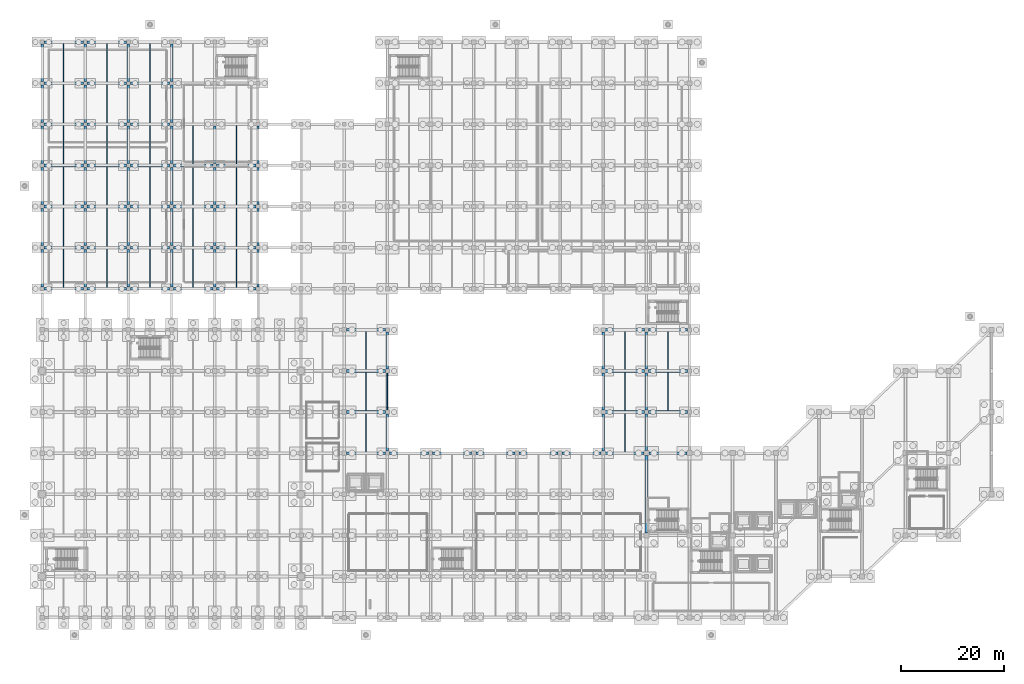
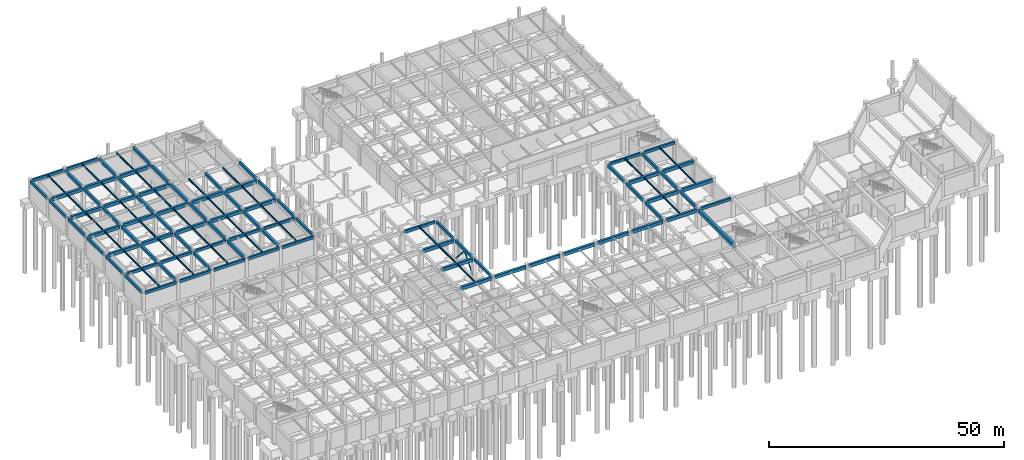
# One storey, part 32 of 56: 121 beams, 2 members.
"""IFC4 building model written with IfcOpenShell, lengths in metres."""

from ifc_helpers import new_model, si_unit, direction, frame, origin, origin_2d, place, context, subcontext, project, spatial, rectangle, hollow_rectangle, i_section, extrude, material, material_profile, profile_set, type_object, element, save


model = new_model("IFC4")

# Units and contexts
model_context = context("Model", 3, precision=1e-05, world=origin(), true_north=direction((0.0, 1.0)))
body_context = subcontext(model_context, "Body", "Model", "MODEL_VIEW")
ifc_project = project(units=[si_unit("LENGTHUNIT", "METRE"), si_unit("AREAUNIT", "SQUARE_METRE"), si_unit("VOLUMEUNIT", "CUBIC_METRE"), si_unit("PLANEANGLEUNIT", "RADIAN"), si_unit("MASSUNIT", "GRAM", prefix="KILO")], contexts=[model_context])

# Site, building, storey
site_placement = place(None, origin())
site = spatial("IfcSite", under=ifc_project, at=site_placement, CompositionType="ELEMENT")
building_placement = place(site_placement, origin())
building = spatial("IfcBuilding", under=site, at=building_placement, Name="Naruveol Harbour Congress Hotel", CompositionType="ELEMENT")
storey_placement = place(building_placement, frame((0.0, 0.0, -5.39990234375)))
storey = spatial("IfcBuildingStorey", under=building, at=storey_placement, Name="B01", CompositionType="ELEMENT", Elevation=-5.39990234375)

# Beams
ifc_material_1 = material(Name="Concrete C40/50", Category="concrete")
ifc_material_profile_1 = material_profile(ifc_material_1, rectangle(XDim=0.5, YDim=0.75, at=origin_2d()), Name="RCB-500x750")
ifc_profile_set_1 = profile_set([ifc_material_profile_1], Name="Concrete C40/50")
beam_type_1 = type_object("IfcBeamType", Name="RC FLOOR GIRDER 500X750", PredefinedType="BEAM", material=ifc_profile_set_1)
for number, where, z_axis, x_axis, name in (
    (1, (8.39990234375, 64.37109375, 4.6748046875), (0.0, 1.0, 0.0), (-1.0, 0.0, 0.0), "Transverse girder L00 CB3"),
    (2, (8.39990234375, 72.37109375, 4.6748046875), (0.0, 1.0, 0.0), (-1.0, 0.0, 0.0), "Transverse girder L00 CB3"),
    (3, (8.39990234375, 80.37109375, 4.6748046875), (0.0, 1.0, 0.0), (-1.0, 0.0, 0.0), "Transverse girder L00 CB3"),
    (4, (8.39990234375, 88.37109375, 4.6748046875), (0.0, 1.0, 0.0), (-1.0, 0.0, 0.0), "Transverse girder L00 CB3"),
    (5, (8.39990234375, 96.37109375, 4.6748046875), (0.0, 1.0, 0.0), (-1.0, 0.0, 0.0), "Transverse girder L00 CB3"),
    (6, (8.39990234375, 104.37109375, 4.625), (0.0, 1.0, 0.0), (-1.0, 0.0, 0.0), "Transverse girder L00 CB3"),
    (7, (16.800048828125, 64.37109375, 4.6748046875), (0.0, 1.0, 0.0), (-1.0, 0.0, 0.0), "Transverse girder L00 CB3"),
    (8, (16.800048828125, 72.37109375, 4.6748046875), (0.0, 1.0, 0.0), (-1.0, 0.0, 0.0), "Transverse girder L00 CB3"),
    (9, (16.800048828125, 80.37109375, 4.6748046875), (0.0, 1.0, 0.0), (-1.0, 0.0, 0.0), "Transverse girder L00 CB3"),
    (10, (16.800048828125, 88.37109375, 4.6748046875), (0.0, 1.0, 0.0), (-1.0, 0.0, 0.0), "Transverse girder L00 CB3"),
    (11, (16.800048828125, 96.37109375, 4.6748046875), (0.0, 1.0, 0.0), (-1.0, 0.0, 0.0), "Transverse girder L00 CB3"),
    (12, (16.800048828125, 104.37109375, 4.625), (0.0, 1.0, 0.0), (-1.0, 0.0, 0.0), "Transverse girder L00 CB3"),
    (13, (25.199951171875, 64.37109375, 4.6748046875), (0.0, 1.0, 0.0), (-1.0, 0.0, 0.0), "Transverse girder L00 CB3"),
    (14, (25.199951171875, 72.37109375, 4.6748046875), (0.0, 1.0, 0.0), (-1.0, 0.0, 0.0), "Transverse girder L00 CB3"),
    (15, (25.199951171875, 80.37109375, 4.6748046875), (0.0, 1.0, 0.0), (-1.0, 0.0, 0.0), "Transverse girder L00 CB3"),
    (16, (25.199951171875, 88.37109375, 4.6748046875), (0.0, 1.0, 0.0), (-1.0, 0.0, 0.0), "Transverse girder L00 CB3"),
    (17, (25.199951171875, 96.37109375, 4.6748046875), (0.0, 1.0, 0.0), (-1.0, 0.0, 0.0), "Transverse girder L00 CB3"),
    (18, (25.199951171875, 104.37109375, 4.625), (0.0, 1.0, 0.0), (-1.0, 0.0, 0.0), "Transverse girder L00 CB3"),
    (19, (33.60009765625, 64.37109375, 4.6748046875), (0.0, 1.0, 0.0), (-1.0, 0.0, 0.0), "Transverse girder L00 CB3"),
    (20, (33.60009765625, 72.37109375, 4.6748046875), (0.0, 1.0, 0.0), (-1.0, 0.0, 0.0), "Transverse girder L00 CB3"),
    (21, (33.60009765625, 80.37109375, 4.6748046875), (0.0, 1.0, 0.0), (-1.0, 0.0, 0.0), "Transverse girder L00 CB3"),
    (22, (33.60009765625, 88.37109375, 4.6748046875), (0.0, 1.0, 0.0), (-1.0, 0.0, 0.0), "Transverse girder L00 CB3"),
):
    element("IfcBeam", number, at=place(storey_placement, frame(where, z_axis=z_axis, x_axis=x_axis)), inside=storey, type_object=beam_type_1, Name=name, PredefinedType="BEAM", context=body_context, shape_type="SweptSolid", body=[
        extrude(rectangle(XDim=0.5, YDim=0.75, at=origin_2d()), origin(), (0.0, 0.0, 1.0), 7.2578125),
    ])
for number, where, z_axis, x_axis, name in (
    (23, (109.199951171875, 32.39599609375, 4.625), (0.0, 1.0, 0.0), (-1.0, 0.0, 0.0), "Transverse girder L00 CB3"),
    (24, (109.199951171875, 40.39599609375, 4.625), (0.0, 1.0, 0.0), (-1.0, 0.0, 0.0), "Transverse girder L00 CB3"),
    (25, (109.199951171875, 48.39599609375, 4.625), (0.0, 1.0, 0.0), (-1.0, 0.0, 0.0), "Transverse girder L00 CB3"),
):
    element("IfcBeam", number, at=place(storey_placement, frame(where, z_axis=z_axis, x_axis=x_axis)), inside=storey, type_object=beam_type_1, Name=name, PredefinedType="BEAM", context=body_context, shape_type="SweptSolid", body=[
        extrude(rectangle(XDim=0.5, YDim=0.75, at=origin_2d()), origin(), (0.0, 0.0, 1.0), 7.2080078125),
    ])
beam_1_placement = place(storey_placement, frame((117.60009765625, 32.49609375, 4.6748046875), z_axis=(0.0, 1.0, 0.0), x_axis=(-1.0, 0.0, 0.0)))
element("IfcBeam", 26, at=beam_1_placement, inside=storey, type_object=beam_type_1, Name="Transverse girder L00 CB3", PredefinedType="BEAM", context=body_context, shape_type="SweptSolid", body=[
    extrude(rectangle(XDim=0.5, YDim=0.75, at=origin_2d()), origin(), (0.0, 0.0, 1.0), 7.10791015625),
])
for number, where, z_axis, x_axis, name in (
    (27, (117.60009765625, 40.39599609375, 4.6748046875), (0.0, 1.0, 0.0), (-1.0, 0.0, 0.0), "Transverse girder L00 CB3"),
    (28, (117.60009765625, 48.39599609375, 4.6748046875), (0.0, 1.0, 0.0), (-1.0, 0.0, 0.0), "Transverse girder L00 CB3"),
):
    element("IfcBeam", number, at=place(storey_placement, frame(where, z_axis=z_axis, x_axis=x_axis)), inside=storey, type_object=beam_type_1, Name=name, PredefinedType="BEAM", context=body_context, shape_type="SweptSolid", body=[
        extrude(rectangle(XDim=0.5, YDim=0.75, at=origin_2d()), origin(), (0.0, 0.0, 1.0), 7.2080078125),
    ])
ifc_material_2 = material(Name="Concrete C40/50", Category="concrete")
ifc_material_profile_2 = material_profile(ifc_material_2, rectangle(XDim=0.60009765625, YDim=0.949951171875, at=origin_2d()), Name="RCB-600x950")
ifc_profile_set_2 = profile_set([ifc_material_profile_2], Name="Concrete C40/50")
beam_type_2 = type_object("IfcBeamType", Name="RC LONG SPAN GIRDER 600X950", PredefinedType="BEAM", material=ifc_profile_set_2)
beam_2_placement = place(storey_placement, frame((117.60009765625, 16.49609375, 4.574951171875), z_axis=(0.0, 1.0, 0.0), x_axis=(-1.0, 0.0, 0.0)))
element("IfcBeam", 29, at=beam_2_placement, inside=storey, type_object=beam_type_2, Name="Hotel pilotis girder L00 CB1", PredefinedType="BEAM", context=body_context, shape_type="SweptSolid", body=[
    extrude(rectangle(XDim=0.60009765625, YDim=0.949951171875, at=origin_2d()), origin(), (0.0, 0.0, 1.0), 15.0078125),
])
ifc_material_3 = material(Name="Concrete C40/50", Category="concrete")
ifc_material_profile_3 = material_profile(ifc_material_3, rectangle(XDim=0.550048828125, YDim=0.85009765625, at=origin_2d()), Name="RCB-550x850")
ifc_profile_set_3 = profile_set([ifc_material_profile_3], Name="Concrete C40/50")
beam_type_3 = type_object("IfcBeamType", Name="RC PRIMARY GIRDER 550X850", PredefinedType="BEAM", material=ifc_profile_set_3)
beam_3_placement = place(storey_placement, frame((59.24609375, 32.0, 4.574951171875), z_axis=(1.0, 0.0, 0.0), x_axis=(0.0, 1.0, 0.0)))
element("IfcBeam", 30, at=beam_3_placement, inside=storey, type_object=beam_type_3, Name="Floor girder L00 CB2", PredefinedType="BEAM", context=body_context, shape_type="SweptSolid", body=[
    extrude(rectangle(XDim=0.550048828125, YDim=0.85009765625, at=origin_2d()), origin(), (0.0, 0.0, 1.0), 7.557861328125),
])
beam_4_placement = place(storey_placement, frame((67.595947265625, 32.0, 4.574951171875), z_axis=(1.0, 0.0, 0.0), x_axis=(0.0, 1.0, 0.0)))
element("IfcBeam", 31, at=beam_4_placement, inside=storey, type_object=beam_type_3, Name="Floor girder L00 CB2", PredefinedType="BEAM", context=body_context, shape_type="SweptSolid", body=[
    extrude(rectangle(XDim=0.550048828125, YDim=0.85009765625, at=origin_2d()), origin(), (0.0, 0.0, 1.0), 7.608154296875),
])
for number, where, z_axis, x_axis, name in (
    (32, (75.99609375, 32.0, 4.574951171875), (1.0, 0.0, 0.0), (0.0, 1.0, 0.0), "Floor girder L00 CB2"),
    (33, (84.39599609375, 32.0, 4.574951171875), (1.0, 0.0, 0.0), (0.0, 1.0, 0.0), "Floor girder L00 CB2"),
):
    element("IfcBeam", number, at=place(storey_placement, frame(where, z_axis=z_axis, x_axis=x_axis)), inside=storey, type_object=beam_type_3, Name=name, PredefinedType="BEAM", context=body_context, shape_type="SweptSolid", body=[
        extrude(rectangle(XDim=0.550048828125, YDim=0.85009765625, at=origin_2d()), origin(), (0.0, 0.0, 1.0), 7.60791015625),
    ])
beam_5_placement = place(storey_placement, frame((92.7958984375, 32.0, 4.574951171875), z_axis=(1.0, 0.0, 0.0), x_axis=(0.0, 1.0, 0.0)))
element("IfcBeam", 34, at=beam_5_placement, inside=storey, type_object=beam_type_3, Name="Floor girder L00 CB2", PredefinedType="BEAM", context=body_context, shape_type="SweptSolid", body=[
    extrude(rectangle(XDim=0.550048828125, YDim=0.85009765625, at=origin_2d()), origin(), (0.0, 0.0, 1.0), 7.608154296875),
])
beam_6_placement = place(storey_placement, frame((101.196044921875, 32.0, 4.574951171875), z_axis=(1.0, 0.0, 0.0), x_axis=(0.0, 1.0, 0.0)))
element("IfcBeam", 35, at=beam_6_placement, inside=storey, type_object=beam_type_3, Name="Floor girder L00 CB2", PredefinedType="BEAM", context=body_context, shape_type="SweptSolid", body=[
    extrude(rectangle(XDim=0.550048828125, YDim=0.85009765625, at=origin_2d()), origin(), (0.0, 0.0, 1.0), 7.60791015625),
])
beam_7_placement = place(storey_placement, frame((109.595947265625, 32.0, 4.574951171875), z_axis=(1.0, 0.0, 0.0), x_axis=(0.0, 1.0, 0.0)))
element("IfcBeam", 36, at=beam_7_placement, inside=storey, type_object=beam_type_3, Name="Floor girder L00 CB2", PredefinedType="BEAM", context=body_context, shape_type="SweptSolid", body=[
    extrude(rectangle(XDim=0.550048828125, YDim=0.85009765625, at=origin_2d()), origin(), (0.0, 0.0, 1.0), 7.508056640625),
])
beam_8_placement = place(storey_placement, frame((59.24609375, 40.0, 4.574951171875), z_axis=(1.0, 0.0, 0.0), x_axis=(0.0, 1.0, 0.0)))
element("IfcBeam", 37, at=beam_8_placement, inside=storey, type_object=beam_type_3, Name="Floor girder L00 CB2", PredefinedType="BEAM", context=body_context, shape_type="SweptSolid", body=[
    extrude(rectangle(XDim=0.550048828125, YDim=0.85009765625, at=origin_2d()), origin(), (0.0, 0.0, 1.0), 7.557861328125),
])
beam_9_placement = place(storey_placement, frame((109.595947265625, 40.0, 4.574951171875), z_axis=(1.0, 0.0, 0.0), x_axis=(0.0, 1.0, 0.0)))
element("IfcBeam", 38, at=beam_9_placement, inside=storey, type_object=beam_type_3, Name="Floor girder L00 CB2", PredefinedType="BEAM", context=body_context, shape_type="SweptSolid", body=[
    extrude(rectangle(XDim=0.550048828125, YDim=0.85009765625, at=origin_2d()), origin(), (0.0, 0.0, 1.0), 7.608154296875),
])
beam_10_placement = place(storey_placement, frame((117.99609375, 40.0, 4.574951171875), z_axis=(1.0, 0.0, 0.0), x_axis=(0.0, 1.0, 0.0)))
element("IfcBeam", 39, at=beam_10_placement, inside=storey, type_object=beam_type_3, Name="Floor girder L00 CB2", PredefinedType="BEAM", context=body_context, shape_type="SweptSolid", body=[
    extrude(rectangle(XDim=0.550048828125, YDim=0.85009765625, at=origin_2d()), origin(), (0.0, 0.0, 1.0), 7.60791015625),
])
beam_11_placement = place(storey_placement, frame((59.24609375, 48.0, 4.574951171875), z_axis=(1.0, 0.0, 0.0), x_axis=(0.0, 1.0, 0.0)))
element("IfcBeam", 40, at=beam_11_placement, inside=storey, type_object=beam_type_3, Name="Floor girder L00 CB2", PredefinedType="BEAM", context=body_context, shape_type="SweptSolid", body=[
    extrude(rectangle(XDim=0.550048828125, YDim=0.85009765625, at=origin_2d()), origin(), (0.0, 0.0, 1.0), 7.557861328125),
])
beam_12_placement = place(storey_placement, frame((109.595947265625, 48.0, 4.574951171875), z_axis=(1.0, 0.0, 0.0), x_axis=(0.0, 1.0, 0.0)))
element("IfcBeam", 41, at=beam_12_placement, inside=storey, type_object=beam_type_3, Name="Floor girder L00 CB2", PredefinedType="BEAM", context=body_context, shape_type="SweptSolid", body=[
    extrude(rectangle(XDim=0.550048828125, YDim=0.85009765625, at=origin_2d()), origin(), (0.0, 0.0, 1.0), 7.608154296875),
])
beam_13_placement = place(storey_placement, frame((117.99609375, 48.0, 4.574951171875), z_axis=(1.0, 0.0, 0.0), x_axis=(0.0, 1.0, 0.0)))
element("IfcBeam", 42, at=beam_13_placement, inside=storey, type_object=beam_type_3, Name="Floor girder L00 CB2", PredefinedType="BEAM", context=body_context, shape_type="SweptSolid", body=[
    extrude(rectangle(XDim=0.550048828125, YDim=0.85009765625, at=origin_2d()), origin(), (0.0, 0.0, 1.0), 7.60791015625),
])
for number, where, z_axis, x_axis, name in (
    (43, (0.37109375, 80.0, 4.574951171875), (1.0, 0.0, 0.0), (0.0, 1.0, 0.0), "Floor girder L00 CB2"),
    (44, (8.77099609375, 80.0, 4.625), (1.0, 0.0, 0.0), (0.0, 1.0, 0.0), "Floor girder L00 CB2"),
):
    element("IfcBeam", number, at=place(storey_placement, frame(where, z_axis=z_axis, x_axis=x_axis)), inside=storey, type_object=beam_type_3, Name=name, PredefinedType="BEAM", context=body_context, shape_type="SweptSolid", body=[
        extrude(rectangle(XDim=0.550048828125, YDim=0.85009765625, at=origin_2d()), origin(), (0.0, 0.0, 1.0), 7.657958984375),
    ])
beam_14_placement = place(storey_placement, frame((17.1708984375, 80.0, 4.625), z_axis=(1.0, 0.0, 0.0), x_axis=(0.0, 1.0, 0.0)))
element("IfcBeam", 45, at=beam_14_placement, inside=storey, type_object=beam_type_3, Name="Floor girder L00 CB2", PredefinedType="BEAM", context=body_context, shape_type="SweptSolid", body=[
    extrude(rectangle(XDim=0.550048828125, YDim=0.85009765625, at=origin_2d()), origin(), (0.0, 0.0, 1.0), 7.658203125),
])
for number, where, z_axis, x_axis, name in (
    (46, (25.571044921875, 80.0, 4.625), (1.0, 0.0, 0.0), (0.0, 1.0, 0.0), "Floor girder L00 CB2"),
    (47, (33.970947265625, 80.0, 4.574951171875), (1.0, 0.0, 0.0), (0.0, 1.0, 0.0), "Floor girder L00 CB2"),
    (48, (0.37109375, 88.0, 4.574951171875), (1.0, 0.0, 0.0), (0.0, 1.0, 0.0), "Floor girder L00 CB2"),
    (49, (8.77099609375, 88.0, 4.625), (1.0, 0.0, 0.0), (0.0, 1.0, 0.0), "Floor girder L00 CB2"),
):
    element("IfcBeam", number, at=place(storey_placement, frame(where, z_axis=z_axis, x_axis=x_axis)), inside=storey, type_object=beam_type_3, Name=name, PredefinedType="BEAM", context=body_context, shape_type="SweptSolid", body=[
        extrude(rectangle(XDim=0.550048828125, YDim=0.85009765625, at=origin_2d()), origin(), (0.0, 0.0, 1.0), 7.657958984375),
    ])
beam_15_placement = place(storey_placement, frame((17.1708984375, 88.0, 4.625), z_axis=(1.0, 0.0, 0.0), x_axis=(0.0, 1.0, 0.0)))
element("IfcBeam", 50, at=beam_15_placement, inside=storey, type_object=beam_type_3, Name="Floor girder L00 CB2", PredefinedType="BEAM", context=body_context, shape_type="SweptSolid", body=[
    extrude(rectangle(XDim=0.550048828125, YDim=0.85009765625, at=origin_2d()), origin(), (0.0, 0.0, 1.0), 7.658203125),
])
for number, where, z_axis, x_axis, name in (
    (51, (25.571044921875, 88.0, 4.625), (1.0, 0.0, 0.0), (0.0, 1.0, 0.0), "Floor girder L00 CB2"),
    (52, (33.970947265625, 88.0, 4.574951171875), (1.0, 0.0, 0.0), (0.0, 1.0, 0.0), "Floor girder L00 CB2"),
    (53, (0.37109375, 96.0, 4.574951171875), (1.0, 0.0, 0.0), (0.0, 1.0, 0.0), "Floor girder L00 CB2"),
    (54, (8.77099609375, 96.0, 4.625), (1.0, 0.0, 0.0), (0.0, 1.0, 0.0), "Floor girder L00 CB2"),
):
    element("IfcBeam", number, at=place(storey_placement, frame(where, z_axis=z_axis, x_axis=x_axis)), inside=storey, type_object=beam_type_3, Name=name, PredefinedType="BEAM", context=body_context, shape_type="SweptSolid", body=[
        extrude(rectangle(XDim=0.550048828125, YDim=0.85009765625, at=origin_2d()), origin(), (0.0, 0.0, 1.0), 7.657958984375),
    ])
beam_16_placement = place(storey_placement, frame((17.1708984375, 96.0, 4.625), z_axis=(1.0, 0.0, 0.0), x_axis=(0.0, 1.0, 0.0)))
element("IfcBeam", 55, at=beam_16_placement, inside=storey, type_object=beam_type_3, Name="Floor girder L00 CB2", PredefinedType="BEAM", context=body_context, shape_type="SweptSolid", body=[
    extrude(rectangle(XDim=0.550048828125, YDim=0.85009765625, at=origin_2d()), origin(), (0.0, 0.0, 1.0), 7.658203125),
])
for number, where, z_axis, x_axis, name in (
    (56, (0.37109375, 104.0, 4.574951171875), (1.0, 0.0, 0.0), (0.0, 1.0, 0.0), "Floor girder L00 CB2"),
    (57, (8.77099609375, 104.0, 4.625), (1.0, 0.0, 0.0), (0.0, 1.0, 0.0), "Floor girder L00 CB2"),
):
    element("IfcBeam", number, at=place(storey_placement, frame(where, z_axis=z_axis, x_axis=x_axis)), inside=storey, type_object=beam_type_3, Name=name, PredefinedType="BEAM", context=body_context, shape_type="SweptSolid", body=[
        extrude(rectangle(XDim=0.550048828125, YDim=0.85009765625, at=origin_2d()), origin(), (0.0, 0.0, 1.0), 7.657958984375),
    ])
beam_17_placement = place(storey_placement, frame((17.1708984375, 104.0, 4.625), z_axis=(1.0, 0.0, 0.0), x_axis=(0.0, 1.0, 0.0)))
element("IfcBeam", 58, at=beam_17_placement, inside=storey, type_object=beam_type_3, Name="Floor girder L00 CB2", PredefinedType="BEAM", context=body_context, shape_type="SweptSolid", body=[
    extrude(rectangle(XDim=0.550048828125, YDim=0.85009765625, at=origin_2d()), origin(), (0.0, 0.0, 1.0), 7.658203125),
])
ifc_material_4 = material(Name="Concrete C40/50", Category="concrete")
ifc_material_profile_4 = material_profile(ifc_material_4, rectangle(XDim=0.449951171875, YDim=0.699951171875, at=origin_2d()), Name="RCB-450x700")
ifc_profile_set_4 = profile_set([ifc_material_profile_4], Name="Concrete C40/50")
beam_type_4 = type_object("IfcBeamType", Name="RC SPANDREL BEAM 450X700", PredefinedType="SPANDREL", material=ifc_profile_set_4)
beam_18_placement = place(storey_placement, frame((59.24609375, 56.0, 4.64990234375), z_axis=(1.0, 0.0, 0.0), x_axis=(0.0, 1.0, 0.0)))
element("IfcBeam", 59, at=beam_18_placement, inside=storey, type_object=beam_type_4, Name="Floor girder L00 SPB1", PredefinedType="SPANDREL", context=body_context, shape_type="SweptSolid", body=[
    extrude(rectangle(XDim=0.449951171875, YDim=0.699951171875, at=origin_2d()), origin(), (0.0, 0.0, 1.0), 7.557861328125),
])
beam_19_placement = place(storey_placement, frame((109.595947265625, 56.0, 4.64990234375), z_axis=(1.0, 0.0, 0.0), x_axis=(0.0, 1.0, 0.0)))
element("IfcBeam", 60, at=beam_19_placement, inside=storey, type_object=beam_type_4, Name="Floor girder L00 SPB1", PredefinedType="SPANDREL", context=body_context, shape_type="SweptSolid", body=[
    extrude(rectangle(XDim=0.449951171875, YDim=0.699951171875, at=origin_2d()), origin(), (0.0, 0.0, 1.0), 7.608154296875),
])
beam_20_placement = place(storey_placement, frame((117.99609375, 56.0, 4.64990234375), z_axis=(1.0, 0.0, 0.0), x_axis=(0.0, 1.0, 0.0)))
element("IfcBeam", 61, at=beam_20_placement, inside=storey, type_object=beam_type_4, Name="Floor girder L00 SPB1", PredefinedType="SPANDREL", context=body_context, shape_type="SweptSolid", body=[
    extrude(rectangle(XDim=0.449951171875, YDim=0.699951171875, at=origin_2d()), origin(), (0.0, 0.0, 1.0), 7.60791015625),
])
for number, where, z_axis, x_axis, name in (
    (62, (0.37109375, 64.0, 4.64990234375), (1.0, 0.0, 0.0), (0.0, 1.0, 0.0), "Floor girder L00 SPB1"),
    (63, (8.77099609375, 64.0, 4.699951171875), (1.0, 0.0, 0.0), (0.0, 1.0, 0.0), "Floor girder L00 SPB1"),
):
    element("IfcBeam", number, at=place(storey_placement, frame(where, z_axis=z_axis, x_axis=x_axis)), inside=storey, type_object=beam_type_4, Name=name, PredefinedType="SPANDREL", context=body_context, shape_type="SweptSolid", body=[
        extrude(rectangle(XDim=0.449951171875, YDim=0.699951171875, at=origin_2d()), origin(), (0.0, 0.0, 1.0), 7.657958984375),
    ])
beam_21_placement = place(storey_placement, frame((17.1708984375, 64.0, 4.699951171875), z_axis=(1.0, 0.0, 0.0), x_axis=(0.0, 1.0, 0.0)))
element("IfcBeam", 64, at=beam_21_placement, inside=storey, type_object=beam_type_4, Name="Floor girder L00 SPB1", PredefinedType="SPANDREL", context=body_context, shape_type="SweptSolid", body=[
    extrude(rectangle(XDim=0.449951171875, YDim=0.699951171875, at=origin_2d()), origin(), (0.0, 0.0, 1.0), 7.658203125),
])
for number, where, z_axis, x_axis, name in (
    (65, (25.571044921875, 64.0, 4.699951171875), (1.0, 0.0, 0.0), (0.0, 1.0, 0.0), "Floor girder L00 SPB1"),
    (66, (33.970947265625, 64.0, 4.64990234375), (1.0, 0.0, 0.0), (0.0, 1.0, 0.0), "Floor girder L00 SPB1"),
    (67, (0.37109375, 72.0, 4.64990234375), (1.0, 0.0, 0.0), (0.0, 1.0, 0.0), "Floor girder L00 SPB1"),
    (68, (8.77099609375, 72.0, 4.699951171875), (1.0, 0.0, 0.0), (0.0, 1.0, 0.0), "Floor girder L00 SPB1"),
):
    element("IfcBeam", number, at=place(storey_placement, frame(where, z_axis=z_axis, x_axis=x_axis)), inside=storey, type_object=beam_type_4, Name=name, PredefinedType="SPANDREL", context=body_context, shape_type="SweptSolid", body=[
        extrude(rectangle(XDim=0.449951171875, YDim=0.699951171875, at=origin_2d()), origin(), (0.0, 0.0, 1.0), 7.657958984375),
    ])
beam_22_placement = place(storey_placement, frame((17.1708984375, 72.0, 4.699951171875), z_axis=(1.0, 0.0, 0.0), x_axis=(0.0, 1.0, 0.0)))
element("IfcBeam", 69, at=beam_22_placement, inside=storey, type_object=beam_type_4, Name="Floor girder L00 SPB1", PredefinedType="SPANDREL", context=body_context, shape_type="SweptSolid", body=[
    extrude(rectangle(XDim=0.449951171875, YDim=0.699951171875, at=origin_2d()), origin(), (0.0, 0.0, 1.0), 7.658203125),
])
for number, where, z_axis, x_axis, name in (
    (70, (25.571044921875, 72.0, 4.699951171875), (1.0, 0.0, 0.0), (0.0, 1.0, 0.0), "Floor girder L00 SPB1"),
    (71, (33.970947265625, 72.0, 4.64990234375), (1.0, 0.0, 0.0), (0.0, 1.0, 0.0), "Floor girder L00 SPB1"),
    (72, (0.37109375, 112.0, 4.64990234375), (1.0, 0.0, 0.0), (0.0, 1.0, 0.0), "Floor girder L00 SPB1"),
    (73, (8.77099609375, 112.0, 4.64990234375), (1.0, 0.0, 0.0), (0.0, 1.0, 0.0), "Floor girder L00 SPB1"),
):
    element("IfcBeam", number, at=place(storey_placement, frame(where, z_axis=z_axis, x_axis=x_axis)), inside=storey, type_object=beam_type_4, Name=name, PredefinedType="SPANDREL", context=body_context, shape_type="SweptSolid", body=[
        extrude(rectangle(XDim=0.449951171875, YDim=0.699951171875, at=origin_2d()), origin(), (0.0, 0.0, 1.0), 7.657958984375),
    ])
for number, where, z_axis, x_axis, name in (
    (74, (0.0, 64.37109375, 4.64990234375), (0.0, 1.0, 0.0), (-1.0, 0.0, 0.0), "Transverse girder L00 SPB1"),
    (75, (0.0, 72.37109375, 4.64990234375), (0.0, 1.0, 0.0), (-1.0, 0.0, 0.0), "Transverse girder L00 SPB1"),
    (76, (0.0, 80.37109375, 4.64990234375), (0.0, 1.0, 0.0), (-1.0, 0.0, 0.0), "Transverse girder L00 SPB1"),
    (77, (0.0, 88.37109375, 4.64990234375), (0.0, 1.0, 0.0), (-1.0, 0.0, 0.0), "Transverse girder L00 SPB1"),
    (78, (0.0, 96.37109375, 4.64990234375), (0.0, 1.0, 0.0), (-1.0, 0.0, 0.0), "Transverse girder L00 SPB1"),
    (79, (0.0, 104.37109375, 4.64990234375), (0.0, 1.0, 0.0), (-1.0, 0.0, 0.0), "Transverse girder L00 SPB1"),
    (80, (42.0, 64.37109375, 4.64990234375), (0.0, 1.0, 0.0), (-1.0, 0.0, 0.0), "Transverse girder L00 SPB1"),
    (81, (42.0, 72.37109375, 4.64990234375), (0.0, 1.0, 0.0), (-1.0, 0.0, 0.0), "Transverse girder L00 SPB1"),
    (82, (42.0, 80.37109375, 4.64990234375), (0.0, 1.0, 0.0), (-1.0, 0.0, 0.0), "Transverse girder L00 SPB1"),
    (83, (42.0, 88.37109375, 4.64990234375), (0.0, 1.0, 0.0), (-1.0, 0.0, 0.0), "Transverse girder L00 SPB1"),
):
    element("IfcBeam", number, at=place(storey_placement, frame(where, z_axis=z_axis, x_axis=x_axis)), inside=storey, type_object=beam_type_4, Name=name, PredefinedType="SPANDREL", context=body_context, shape_type="SweptSolid", body=[
        extrude(rectangle(XDim=0.449951171875, YDim=0.699951171875, at=origin_2d()), origin(), (0.0, 0.0, 1.0), 7.2578125),
    ])
for number, where, z_axis, x_axis, name in (
    (84, (67.199951171875, 32.39599609375, 4.64990234375), (0.0, 1.0, 0.0), (-1.0, 0.0, 0.0), "Transverse girder L00 SPB1"),
    (85, (67.199951171875, 40.39599609375, 4.64990234375), (0.0, 1.0, 0.0), (-1.0, 0.0, 0.0), "Transverse girder L00 SPB1"),
    (86, (67.199951171875, 48.39599609375, 4.64990234375), (0.0, 1.0, 0.0), (-1.0, 0.0, 0.0), "Transverse girder L00 SPB1"),
):
    element("IfcBeam", number, at=place(storey_placement, frame(where, z_axis=z_axis, x_axis=x_axis)), inside=storey, type_object=beam_type_4, Name=name, PredefinedType="SPANDREL", context=body_context, shape_type="SweptSolid", body=[
        extrude(rectangle(XDim=0.449951171875, YDim=0.699951171875, at=origin_2d()), origin(), (0.0, 0.0, 1.0), 7.2080078125),
    ])
beam_23_placement = place(storey_placement, frame((118.095947265625, 32.0, 4.64990234375), z_axis=(1.0, 0.0, 0.0), x_axis=(0.0, 1.0, 0.0)))
element("IfcBeam", 87, at=beam_23_placement, inside=storey, type_object=beam_type_4, Name="Hotel chord beam L00 SPB1", PredefinedType="SPANDREL", context=body_context, shape_type="SweptSolid", body=[
    extrude(rectangle(XDim=0.449951171875, YDim=0.699951171875, at=origin_2d()), origin(), (0.0, 0.0, 1.0), 7.407958984375),
])

# Members
ifc_material_5 = material(Name="Steel SN490", Category="steel")
ifc_material_profile_5 = material_profile(ifc_material_5, hollow_rectangle(XDim=0.25, YDim=0.25, WallThickness=0.011962890625, at=origin_2d()), Name="SHS-250x250x12")
ifc_profile_set_5 = profile_set([ifc_material_profile_5], Name="Steel SN490")
member_type = type_object("IfcMemberType", Name="STEEL LATERAL FRAME BRACE SHS250", PredefinedType="BRACE", material=ifc_profile_set_5)
for number, where, z_axis, x_axis, name in (
    (88, (67.199951171875, 40.389892578125, 0.159912109375), (0.0, 0.661745958101, 0.749728142021), (-1.0, 0.0, 0.0), "Lateral chevron brace B01 #5A"),
    (89, (67.199951171875, 47.610107421875, 0.159912109375), (0.0, -0.661745958101, 0.749728142021), (1.0, 0.0, 0.0), "Lateral chevron brace B01 #5B"),
):
    element("IfcMember", number, at=place(storey_placement, frame(where, z_axis=z_axis, x_axis=x_axis)), inside=storey, type_object=member_type, Name=name, PredefinedType="BRACE", context=body_context, shape_type="SweptSolid", body=[
        extrude(hollow_rectangle(XDim=0.25, YDim=0.25, WallThickness=0.011962890625, at=origin_2d()), origin(), (0.0, 0.0, 1.0), 5.455322265625),
    ])

# Beams
ifc_material_6 = material(Name="Steel SN490", Category="steel")
ifc_material_profile_6 = material_profile(ifc_material_6, i_section(OverallWidth=0.199951171875, OverallDepth=0.39990234375, WebThickness=0.008056640625, FlangeThickness=0.012939453125, at=origin_2d()), Name="H-400x200x8x13")
ifc_profile_set_6 = profile_set([ifc_material_profile_6], Name="Steel SN490")
beam_type_5 = type_object("IfcBeamType", Name="STEEL SECONDARY JOIST H400", PredefinedType="JOIST", material=ifc_profile_set_6)
for number, where, z_axis, x_axis, name in (
    (90, (63.0, 32.27099609375, 4.7998046875), (0.0, 1.0, 0.0), (-1.0, 0.0, 0.0), "Secondary floor joist L00 SJ1"),
    (91, (113.39990234375, 32.27099609375, 4.7998046875), (0.0, 1.0, 0.0), (-1.0, 0.0, 0.0), "Secondary floor joist L00 SJ1"),
    (92, (63.0, 40.27099609375, 4.7998046875), (0.0, 1.0, 0.0), (-1.0, 0.0, 0.0), "Secondary floor joist L00 SJ1"),
    (93, (113.39990234375, 40.27099609375, 4.7998046875), (0.0, 1.0, 0.0), (-1.0, 0.0, 0.0), "Secondary floor joist L00 SJ1"),
    (94, (121.800048828125, 40.27099609375, 4.7998046875), (0.0, 1.0, 0.0), (-1.0, 0.0, 0.0), "Secondary floor joist L00 SJ1"),
):
    element("IfcBeam", number, at=place(storey_placement, frame(where, z_axis=z_axis, x_axis=x_axis)), inside=storey, type_object=beam_type_5, Name=name, PredefinedType="JOIST", context=body_context, shape_type="SweptSolid", body=[
        extrude(i_section(OverallWidth=0.199951171875, OverallDepth=0.39990234375, WebThickness=0.008056640625, FlangeThickness=0.012939453125, at=origin_2d()), origin(), (0.0, 0.0, 1.0), 7.4580078125),
    ])
for number, where, z_axis, x_axis, name in (
    (95, (63.0, 48.27099609375, 4.7998046875), (0.0, 1.0, 0.0), (-1.0, 0.0, 0.0), "Secondary floor joist L00 SJ1"),
    (96, (113.39990234375, 48.27099609375, 4.7998046875), (0.0, 1.0, 0.0), (-1.0, 0.0, 0.0), "Secondary floor joist L00 SJ1"),
    (97, (121.800048828125, 48.27099609375, 4.7998046875), (0.0, 1.0, 0.0), (-1.0, 0.0, 0.0), "Secondary floor joist L00 SJ1"),
):
    element("IfcBeam", number, at=place(storey_placement, frame(where, z_axis=z_axis, x_axis=x_axis)), inside=storey, type_object=beam_type_5, Name=name, PredefinedType="JOIST", context=body_context, shape_type="SweptSolid", body=[
        extrude(i_section(OverallWidth=0.199951171875, OverallDepth=0.39990234375, WebThickness=0.008056640625, FlangeThickness=0.012939453125, at=origin_2d()), origin(), (0.0, 0.0, 1.0), 7.508056640625),
    ])
for number, where, z_axis, x_axis, name in (
    (98, (4.199951171875, 64.220947265625, 4.7998046875), (0.0, 1.0, 0.0), (-1.0, 0.0, 0.0), "Secondary floor joist L00 SJ1"),
    (99, (12.60009765625, 64.220947265625, 4.849853515625), (0.0, 1.0, 0.0), (-1.0, 0.0, 0.0), "Secondary floor joist L00 SJ1"),
    (100, (21.0, 64.220947265625, 4.849853515625), (0.0, 1.0, 0.0), (-1.0, 0.0, 0.0), "Secondary floor joist L00 SJ1"),
    (101, (29.39990234375, 64.220947265625, 4.849853515625), (0.0, 1.0, 0.0), (-1.0, 0.0, 0.0), "Secondary floor joist L00 SJ1"),
    (102, (37.800048828125, 64.220947265625, 4.7998046875), (0.0, 1.0, 0.0), (-1.0, 0.0, 0.0), "Secondary floor joist L00 SJ1"),
):
    element("IfcBeam", number, at=place(storey_placement, frame(where, z_axis=z_axis, x_axis=x_axis)), inside=storey, type_object=beam_type_5, Name=name, PredefinedType="JOIST", context=body_context, shape_type="SweptSolid", body=[
        extrude(i_section(OverallWidth=0.199951171875, OverallDepth=0.39990234375, WebThickness=0.008056640625, FlangeThickness=0.012939453125, at=origin_2d()), origin(), (0.0, 0.0, 1.0), 7.55810546875),
    ])
for number, where, z_axis, x_axis, name in (
    (103, (4.199951171875, 72.220947265625, 4.7998046875), (0.0, 1.0, 0.0), (-1.0, 0.0, 0.0), "Secondary floor joist L00 SJ1"),
    (104, (12.60009765625, 72.220947265625, 4.849853515625), (0.0, 1.0, 0.0), (-1.0, 0.0, 0.0), "Secondary floor joist L00 SJ1"),
    (105, (21.0, 72.220947265625, 4.849853515625), (0.0, 1.0, 0.0), (-1.0, 0.0, 0.0), "Secondary floor joist L00 SJ1"),
    (106, (29.39990234375, 72.220947265625, 4.849853515625), (0.0, 1.0, 0.0), (-1.0, 0.0, 0.0), "Secondary floor joist L00 SJ1"),
    (107, (37.800048828125, 72.220947265625, 4.7998046875), (0.0, 1.0, 0.0), (-1.0, 0.0, 0.0), "Secondary floor joist L00 SJ1"),
):
    element("IfcBeam", number, at=place(storey_placement, frame(where, z_axis=z_axis, x_axis=x_axis)), inside=storey, type_object=beam_type_5, Name=name, PredefinedType="JOIST", context=body_context, shape_type="SweptSolid", body=[
        extrude(i_section(OverallWidth=0.199951171875, OverallDepth=0.39990234375, WebThickness=0.008056640625, FlangeThickness=0.012939453125, at=origin_2d()), origin(), (0.0, 0.0, 1.0), 7.508056640625),
    ])
for number, where, z_axis, x_axis, name in (
    (108, (4.199951171875, 80.27099609375, 4.7998046875), (0.0, 1.0, 0.0), (-1.0, 0.0, 0.0), "Secondary floor joist L00 SJ1"),
    (109, (12.60009765625, 80.27099609375, 4.849853515625), (0.0, 1.0, 0.0), (-1.0, 0.0, 0.0), "Secondary floor joist L00 SJ1"),
    (110, (21.0, 80.27099609375, 4.849853515625), (0.0, 1.0, 0.0), (-1.0, 0.0, 0.0), "Secondary floor joist L00 SJ1"),
    (111, (29.39990234375, 80.27099609375, 4.849853515625), (0.0, 1.0, 0.0), (-1.0, 0.0, 0.0), "Secondary floor joist L00 SJ1"),
    (112, (37.800048828125, 80.27099609375, 4.7998046875), (0.0, 1.0, 0.0), (-1.0, 0.0, 0.0), "Secondary floor joist L00 SJ1"),
    (113, (4.199951171875, 88.27099609375, 4.7998046875), (0.0, 1.0, 0.0), (-1.0, 0.0, 0.0), "Secondary floor joist L00 SJ1"),
    (114, (12.60009765625, 88.27099609375, 4.849853515625), (0.0, 1.0, 0.0), (-1.0, 0.0, 0.0), "Secondary floor joist L00 SJ1"),
    (115, (21.0, 88.27099609375, 4.849853515625), (0.0, 1.0, 0.0), (-1.0, 0.0, 0.0), "Secondary floor joist L00 SJ1"),
    (116, (29.39990234375, 88.27099609375, 4.849853515625), (0.0, 1.0, 0.0), (-1.0, 0.0, 0.0), "Secondary floor joist L00 SJ1"),
    (117, (37.800048828125, 88.27099609375, 4.7998046875), (0.0, 1.0, 0.0), (-1.0, 0.0, 0.0), "Secondary floor joist L00 SJ1"),
    (118, (4.199951171875, 96.27099609375, 4.7998046875), (0.0, 1.0, 0.0), (-1.0, 0.0, 0.0), "Secondary floor joist L00 SJ1"),
    (119, (12.60009765625, 96.27099609375, 4.849853515625), (0.0, 1.0, 0.0), (-1.0, 0.0, 0.0), "Secondary floor joist L00 SJ1"),
    (120, (21.0, 96.27099609375, 4.849853515625), (0.0, 1.0, 0.0), (-1.0, 0.0, 0.0), "Secondary floor joist L00 SJ1"),
):
    element("IfcBeam", number, at=place(storey_placement, frame(where, z_axis=z_axis, x_axis=x_axis)), inside=storey, type_object=beam_type_5, Name=name, PredefinedType="JOIST", context=body_context, shape_type="SweptSolid", body=[
        extrude(i_section(OverallWidth=0.199951171875, OverallDepth=0.39990234375, WebThickness=0.008056640625, FlangeThickness=0.012939453125, at=origin_2d()), origin(), (0.0, 0.0, 1.0), 7.4580078125),
    ])
for number, where, z_axis, x_axis, name in (
    (121, (4.199951171875, 104.27099609375, 4.7998046875), (0.0, 1.0, 0.0), (-1.0, 0.0, 0.0), "Secondary floor joist L00 SJ1"),
    (122, (12.60009765625, 104.27099609375, 4.7998046875), (0.0, 1.0, 0.0), (-1.0, 0.0, 0.0), "Secondary floor joist L00 SJ1"),
    (123, (21.0, 104.27099609375, 4.7998046875), (0.0, 1.0, 0.0), (-1.0, 0.0, 0.0), "Secondary floor joist L00 SJ1"),
):
    element("IfcBeam", number, at=place(storey_placement, frame(where, z_axis=z_axis, x_axis=x_axis)), inside=storey, type_object=beam_type_5, Name=name, PredefinedType="JOIST", context=body_context, shape_type="SweptSolid", body=[
        extrude(i_section(OverallWidth=0.199951171875, OverallDepth=0.39990234375, WebThickness=0.008056640625, FlangeThickness=0.012939453125, at=origin_2d()), origin(), (0.0, 0.0, 1.0), 7.508056640625),
    ])

save(model, "model.ifc")
